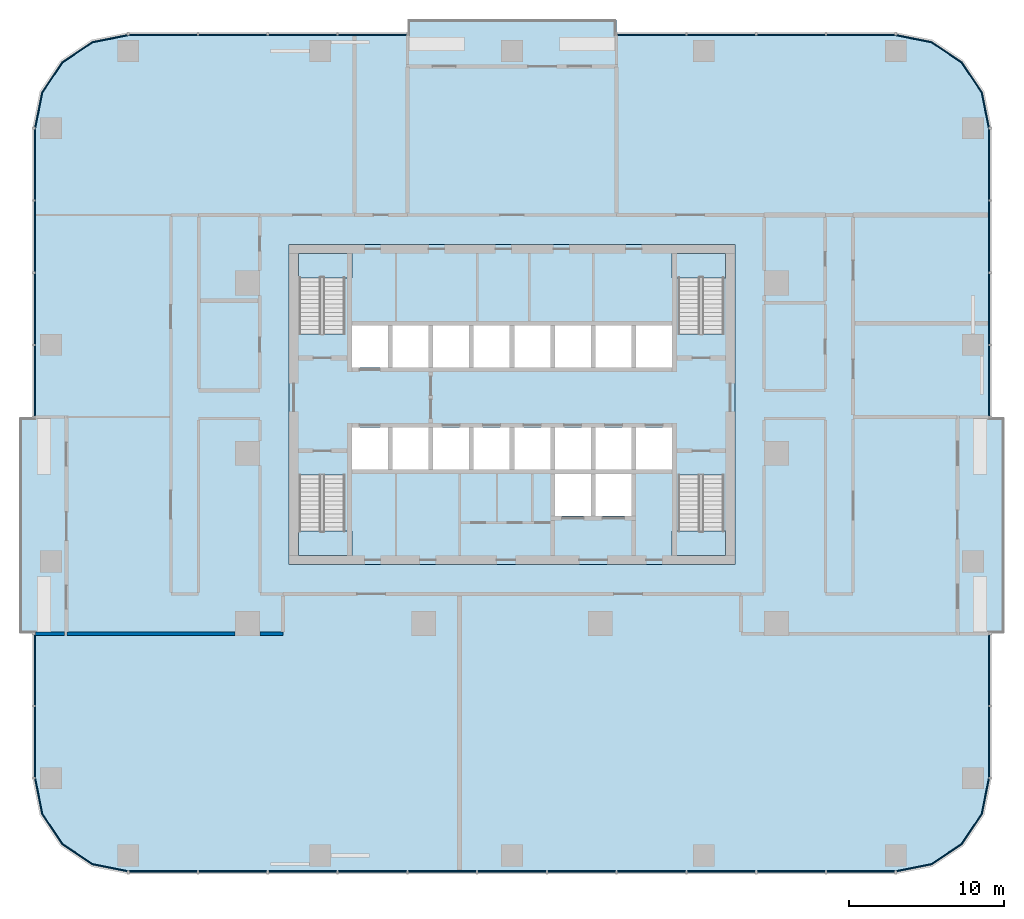
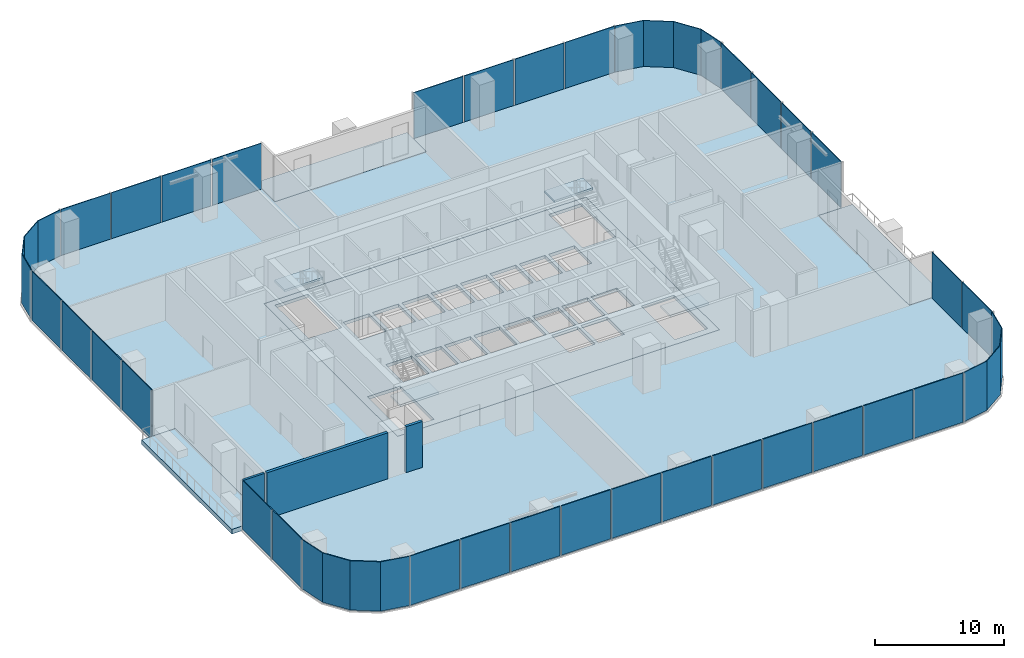
# One storey, part 6 of 14: 35 plates, 9 slabs, 3 walls, 15 elements without a shape of their own.
"""IFC4 building model written with IfcOpenShell, lengths in metres."""

from ifc_helpers import new_model, si_unit, direction, frame, frame_2d, origin, origin_2d, place, context, subcontext, project, spatial, polyline, rectangle, outline, extrude, material, layer, layer_set, type_object, element, aggregate, save


model = new_model("IFC4")

# Units and contexts
model_context = context("Model", 3, precision=1e-05, world=origin(), true_north=direction((0.0, 1.0)))
body_context = subcontext(model_context, "Body", "Model", "MODEL_VIEW")
ifc_project = project(units=[si_unit("LENGTHUNIT", "METRE"), si_unit("AREAUNIT", "SQUARE_METRE"), si_unit("VOLUMEUNIT", "CUBIC_METRE"), si_unit("PLANEANGLEUNIT", "RADIAN"), si_unit("MASSUNIT", "GRAM", prefix="KILO")], contexts=[model_context])

# Site, building, storey
site_placement = place(None, origin())
site = spatial("IfcSite", under=ifc_project, at=site_placement, CompositionType="ELEMENT")
building_placement = place(site_placement, origin())
building = spatial("IfcBuilding", under=site, at=building_placement, Name="Mopane Tessera Tower", CompositionType="ELEMENT")
storey_placement = place(building_placement, frame((0.0, 0.0, 55.0)))
storey = spatial("IfcBuildingStorey", under=building, at=storey_placement, Name="L10", CompositionType="ELEMENT", Elevation=55.0)

# Slab
ifc_material_1 = material(Name="Concrete C40/50", Category="concrete")
ifc_layer_1 = layer(ifc_material_1, 0.300048828125)
ifc_layer_set_1 = layer_set([ifc_layer_1], Name="Concrete C40/50")
slab_type_1 = type_object("IfcSlabType", Name="Core floor slab 300 mm", PredefinedType="FLOOR", material=ifc_layer_set_1)
slab_1_placement = place(storey_placement, frame((0.0, 0.0, -0.300048828125)))
element("IfcSlab", 1, at=slab_1_placement, inside=storey, type_object=slab_type_1, Name="L10 core floor slab", PredefinedType="FLOOR", context=body_context, shape_type="SweptSolid", body=[
    extrude(outline(polyline([(-14.39990234375, -7.199951171875), (14.39990234375, -7.199951171875), (14.39990234375, 13.5), (-14.39990234375, 13.5), (-14.39990234375, -7.199951171875)]), holes=[polyline([(-10.35009765625, -1.050048828125), (-8.02490234375, -1.050048828125), (-8.02490234375, 1.64990234375), (-10.35009765625, 1.64990234375), (-10.35009765625, -1.050048828125)]), polyline([(-7.72509765625, -1.050048828125), (-5.39990234375, -1.050048828125), (-5.39990234375, 1.64990234375), (-7.72509765625, 1.64990234375), (-7.72509765625, -1.050048828125)]), polyline([(-5.10009765625, -1.050048828125), (-2.77490234375, -1.050048828125), (-2.77490234375, 1.64990234375), (-5.10009765625, 1.64990234375), (-5.10009765625, -1.050048828125)]), polyline([(-2.47509765625, -1.050048828125), (-0.14990234375, -1.050048828125), (-0.14990234375, 1.64990234375), (-2.47509765625, 1.64990234375), (-2.47509765625, -1.050048828125)]), polyline([(0.14990234375, -1.050048828125), (2.47509765625, -1.050048828125), (2.47509765625, 1.64990234375), (0.14990234375, 1.64990234375), (0.14990234375, -1.050048828125)]), polyline([(2.77490234375, -1.050048828125), (5.10009765625, -1.050048828125), (5.10009765625, 1.64990234375), (2.77490234375, 1.64990234375), (2.77490234375, -1.050048828125)]), polyline([(5.39990234375, -1.050048828125), (7.72509765625, -1.050048828125), (7.72509765625, 1.64990234375), (5.39990234375, 1.64990234375), (5.39990234375, -1.050048828125)]), polyline([(8.02490234375, -1.050048828125), (10.35009765625, -1.050048828125), (10.35009765625, 1.64990234375), (8.02490234375, 1.64990234375), (8.02490234375, -1.050048828125)]), polyline([(-10.35009765625, 5.550048828125), (-8.02490234375, 5.550048828125), (-8.02490234375, 8.25), (-10.35009765625, 8.25), (-10.35009765625, 5.550048828125)]), polyline([(-7.72509765625, 5.550048828125), (-5.39990234375, 5.550048828125), (-5.39990234375, 8.25), (-7.72509765625, 8.25), (-7.72509765625, 5.550048828125)]), polyline([(-5.10009765625, 5.550048828125), (-2.77490234375, 5.550048828125), (-2.77490234375, 8.25), (-5.10009765625, 8.25), (-5.10009765625, 5.550048828125)]), polyline([(-2.47509765625, 5.550048828125), (-0.14990234375, 5.550048828125), (-0.14990234375, 8.25), (-2.47509765625, 8.25), (-2.47509765625, 5.550048828125)]), polyline([(0.14990234375, 5.550048828125), (2.47509765625, 5.550048828125), (2.47509765625, 8.25), (0.14990234375, 8.25), (0.14990234375, 5.550048828125)]), polyline([(2.77490234375, 5.550048828125), (5.10009765625, 5.550048828125), (5.10009765625, 8.25), (2.77490234375, 8.25), (2.77490234375, 5.550048828125)]), polyline([(5.39990234375, 5.550048828125), (7.72509765625, 5.550048828125), (7.72509765625, 8.25), (5.39990234375, 8.25), (5.39990234375, 5.550048828125)]), polyline([(8.02490234375, 5.550048828125), (10.35009765625, 5.550048828125), (10.35009765625, 8.25), (8.02490234375, 8.25), (8.02490234375, 5.550048828125)]), polyline([(2.77490234375, -4.050048828125), (5.10009765625, -4.050048828125), (5.10009765625, -1.35009765625), (2.77490234375, -1.35009765625), (2.77490234375, -4.050048828125)]), polyline([(5.39990234375, -4.050048828125), (7.72509765625, -4.050048828125), (7.72509765625, -1.35009765625), (5.39990234375, -1.35009765625), (5.39990234375, -4.050048828125)]), polyline([(-13.75, -1.405029296875), (-13.75, -6.60009765625), (-10.800048828125, -6.60009765625), (-10.800048828125, -1.405029296875), (-13.75, -1.405029296875)]), polyline([(-10.800048828125, 7.705078125), (-10.800048828125, 12.89990234375), (-13.75, 12.89990234375), (-13.75, 7.705078125), (-10.800048828125, 7.705078125)]), polyline([(10.75, -1.405029296875), (10.75, -6.60009765625), (13.699951171875, -6.60009765625), (13.699951171875, -1.405029296875), (10.75, -1.405029296875)]), polyline([(13.699951171875, 7.705078125), (13.699951171875, 12.89990234375), (10.75, 12.89990234375), (10.75, 7.705078125), (13.699951171875, 7.705078125)])]), origin(), (0.0, 0.0, 1.0), 0.300048828125),
])

# Stair, slab
ifc_material_2 = material(Name="Concrete C50/60", Category="concrete")
stair_type = type_object("IfcStairType", Name="Escape stair 1400 mm, riser 171 mm", PredefinedType="HALF_TURN_STAIR", material=ifc_material_2)
stair_1_placement = place(storey_placement, origin())
stair_1 = element("IfcStair", 2, at=stair_1_placement, inside=storey, type_object=stair_type, Name="L10 Escape stair south-west", PredefinedType="HALF_TURN_STAIR")
ifc_material_3 = material(Name="Concrete C50/60", Category="concrete")
ifc_layer_2 = layer(ifc_material_3, 0.199951171875)
ifc_layer_set_2 = layer_set([ifc_layer_2], Name="Concrete C50/60")
slab_type_2 = type_object("IfcSlabType", Name="Escape stair landing 200 mm", PredefinedType="LANDING", material=ifc_layer_set_2)
slab_2_placement = place(storey_placement, frame((0.0, 0.0, 2.199951171875)))
slab_2 = element("IfcSlab", 3, at=slab_2_placement, type_object=slab_type_2, Name="ST1 landing 1", PredefinedType="LANDING", context=body_context, shape_type="SweptSolid", body=[
    extrude(outline(polyline([(-13.800048828125, -5.0400390625), (-13.800048828125, -6.60009765625), (-10.35009765625, -6.60009765625), (-10.35009765625, -5.0400390625), (-13.800048828125, -5.0400390625)])), origin(), (0.0, 0.0, 1.0), 0.199951171875),
])
aggregate(stair_1, [slab_2])

stair_2_placement = place(storey_placement, origin())
stair_2 = element("IfcStair", 4, at=stair_2_placement, inside=storey, type_object=stair_type, Name="L10 Escape stair north-west", PredefinedType="HALF_TURN_STAIR")
slab_3_placement = place(storey_placement, frame((0.0, 0.0, 2.199951171875)))
slab_3 = element("IfcSlab", 5, at=slab_3_placement, type_object=slab_type_2, Name="ST2 landing 1", PredefinedType="LANDING", context=body_context, shape_type="SweptSolid", body=[
    extrude(outline(polyline([(-10.35009765625, 11.340087890625), (-10.35009765625, 12.89990234375), (-13.800048828125, 12.89990234375), (-13.800048828125, 11.340087890625), (-10.35009765625, 11.340087890625)])), origin(), (0.0, 0.0, 1.0), 0.199951171875),
])
aggregate(stair_2, [slab_3])

stair_3_placement = place(storey_placement, origin())
stair_3 = element("IfcStair", 6, at=stair_3_placement, inside=storey, type_object=stair_type, Name="L10 Escape stair south-east", PredefinedType="HALF_TURN_STAIR")
slab_4_placement = place(storey_placement, frame((0.0, 0.0, 2.199951171875)))
slab_4 = element("IfcSlab", 7, at=slab_4_placement, type_object=slab_type_2, Name="ST3 landing 1", PredefinedType="LANDING", context=body_context, shape_type="SweptSolid", body=[
    extrude(outline(polyline([(10.35009765625, -5.0400390625), (10.35009765625, -6.60009765625), (13.800048828125, -6.60009765625), (13.800048828125, -5.0400390625), (10.35009765625, -5.0400390625)])), origin(), (0.0, 0.0, 1.0), 0.199951171875),
])
aggregate(stair_3, [slab_4])

stair_4_placement = place(storey_placement, origin())
stair_4 = element("IfcStair", 8, at=stair_4_placement, inside=storey, type_object=stair_type, Name="L10 Escape stair north-east", PredefinedType="HALF_TURN_STAIR")
slab_5_placement = place(storey_placement, frame((0.0, 0.0, 2.199951171875)))
slab_5 = element("IfcSlab", 9, at=slab_5_placement, type_object=slab_type_2, Name="ST4 landing 1", PredefinedType="LANDING", context=body_context, shape_type="SweptSolid", body=[
    extrude(outline(polyline([(13.800048828125, 11.340087890625), (13.800048828125, 12.89990234375), (10.35009765625, 12.89990234375), (10.35009765625, 11.340087890625), (13.800048828125, 11.340087890625)])), origin(), (0.0, 0.0, 1.0), 0.199951171875),
])
aggregate(stair_4, [slab_5])

# Curtain wall, plates
ifc_material_4 = material(Name="Aluminium frame", Category="aluminium")
curtain_wall_type = type_object("IfcCurtainWallType", Name="Lower tower unitised wall", PredefinedType="NOTDEFINED", material=ifc_material_4)
curtain_wall_1_placement = place(storey_placement, origin())
curtain_wall_1 = element("IfcCurtainWall", 10, at=curtain_wall_1_placement, inside=storey, type_object=curtain_wall_type, Name="e:cw:L10:S:0", PredefinedType="NOTDEFINED")
ifc_material_5 = material(Name="Clear laminated glass", Category="glass")
ifc_layer_3 = layer(ifc_material_5, 0.070068359375)
ifc_layer_set_3 = layer_set([ifc_layer_3], Name="Clear laminated glass")
plate_type = type_object("IfcPlateType", Name="Laminated glazed unit 70", PredefinedType="CURTAIN_PANEL", material=ifc_layer_set_3)
plate_1_placement = place(storey_placement, frame((-22.54541015625, -27.034912109375, -0.31005859375), z_axis=(0.0, 0.0, 1.0), x_axis=(1.0, 0.0, 0.0)))
plate_1 = element("IfcPlate", 11, at=plate_1_placement, type_object=plate_type, Name="e:cw:L10:S:0:pn0", PredefinedType="CURTAIN_PANEL", context=body_context, shape_type="SweptSolid", body=[
    extrude(rectangle(XDim=4.399169921875, YDim=0.070068359375, at=origin_2d()), origin(), (0.0, 0.0, 1.0), 4.659912109375),
])
plate_2_placement = place(storey_placement, frame((-18.036376953125, -27.034912109375, -0.31005859375), z_axis=(0.0, 0.0, 1.0), x_axis=(1.0, 0.0, 0.0)))
plate_2 = element("IfcPlate", 12, at=plate_2_placement, type_object=plate_type, Name="e:cw:L10:S:0:pn1", PredefinedType="CURTAIN_PANEL", context=body_context, shape_type="SweptSolid", body=[
    extrude(rectangle(XDim=4.399169921875, YDim=0.070068359375, at=origin_2d()), origin(), (0.0, 0.0, 1.0), 4.659912109375),
])
plate_3_placement = place(storey_placement, frame((-13.52734375, -27.034912109375, -0.31005859375), z_axis=(0.0, 0.0, 1.0), x_axis=(1.0, 0.0, 0.0)))
plate_3 = element("IfcPlate", 13, at=plate_3_placement, type_object=plate_type, Name="e:cw:L10:S:0:pn2", PredefinedType="CURTAIN_PANEL", context=body_context, shape_type="SweptSolid", body=[
    extrude(rectangle(XDim=4.399169921875, YDim=0.070068359375, at=origin_2d()), origin(), (0.0, 0.0, 1.0), 4.659912109375),
])
plate_4_placement = place(storey_placement, frame((-9.01806640625, -27.034912109375, -0.31005859375), z_axis=(0.0, 0.0, 1.0), x_axis=(1.0, 0.0, 0.0)))
plate_4 = element("IfcPlate", 14, at=plate_4_placement, type_object=plate_type, Name="e:cw:L10:S:0:pn3", PredefinedType="CURTAIN_PANEL", context=body_context, shape_type="SweptSolid", body=[
    extrude(rectangle(XDim=4.399169921875, YDim=0.070068359375, at=origin_2d()), origin(), (0.0, 0.0, 1.0), 4.659912109375),
])
plate_5_placement = place(storey_placement, frame((-4.509033203125, -27.034912109375, -0.31005859375), z_axis=(0.0, 0.0, 1.0), x_axis=(1.0, 0.0, 0.0)))
plate_5 = element("IfcPlate", 15, at=plate_5_placement, type_object=plate_type, Name="e:cw:L10:S:0:pn4", PredefinedType="CURTAIN_PANEL", context=body_context, shape_type="SweptSolid", body=[
    extrude(rectangle(XDim=4.399169921875, YDim=0.070068359375, at=origin_2d()), origin(), (0.0, 0.0, 1.0), 4.659912109375),
])
plate_6_placement = place(storey_placement, frame((0.0, -27.034912109375, -0.31005859375), z_axis=(0.0, 0.0, 1.0), x_axis=(1.0, 0.0, 0.0)))
plate_6 = element("IfcPlate", 16, at=plate_6_placement, type_object=plate_type, Name="e:cw:L10:S:0:pn5", PredefinedType="CURTAIN_PANEL", context=body_context, shape_type="SweptSolid", body=[
    extrude(rectangle(XDim=4.399169921875, YDim=0.070068359375, at=origin_2d()), origin(), (0.0, 0.0, 1.0), 4.659912109375),
])
plate_7_placement = place(storey_placement, frame((4.509033203125, -27.034912109375, -0.31005859375), z_axis=(0.0, 0.0, 1.0), x_axis=(1.0, 0.0, 0.0)))
plate_7 = element("IfcPlate", 17, at=plate_7_placement, type_object=plate_type, Name="e:cw:L10:S:0:pn6", PredefinedType="CURTAIN_PANEL", context=body_context, shape_type="SweptSolid", body=[
    extrude(rectangle(XDim=4.399169921875, YDim=0.070068359375, at=origin_2d()), origin(), (0.0, 0.0, 1.0), 4.659912109375),
])
plate_8_placement = place(storey_placement, frame((9.01806640625, -27.034912109375, -0.31005859375), z_axis=(0.0, 0.0, 1.0), x_axis=(1.0, 0.0, 0.0)))
plate_8 = element("IfcPlate", 18, at=plate_8_placement, type_object=plate_type, Name="e:cw:L10:S:0:pn7", PredefinedType="CURTAIN_PANEL", context=body_context, shape_type="SweptSolid", body=[
    extrude(rectangle(XDim=4.399169921875, YDim=0.070068359375, at=origin_2d()), origin(), (0.0, 0.0, 1.0), 4.659912109375),
])
plate_9_placement = place(storey_placement, frame((13.52734375, -27.034912109375, -0.31005859375), z_axis=(0.0, 0.0, 1.0), x_axis=(1.0, 0.0, 0.0)))
plate_9 = element("IfcPlate", 19, at=plate_9_placement, type_object=plate_type, Name="e:cw:L10:S:0:pn8", PredefinedType="CURTAIN_PANEL", context=body_context, shape_type="SweptSolid", body=[
    extrude(rectangle(XDim=4.399169921875, YDim=0.070068359375, at=origin_2d()), origin(), (0.0, 0.0, 1.0), 4.659912109375),
])
plate_10_placement = place(storey_placement, frame((18.036376953125, -27.034912109375, -0.31005859375), z_axis=(0.0, 0.0, 1.0), x_axis=(1.0, 0.0, 0.0)))
plate_10 = element("IfcPlate", 20, at=plate_10_placement, type_object=plate_type, Name="e:cw:L10:S:0:pn9", PredefinedType="CURTAIN_PANEL", context=body_context, shape_type="SweptSolid", body=[
    extrude(rectangle(XDim=4.399169921875, YDim=0.070068359375, at=origin_2d()), origin(), (0.0, 0.0, 1.0), 4.659912109375),
])
plate_11_placement = place(storey_placement, frame((22.54541015625, -27.034912109375, -0.31005859375), z_axis=(0.0, 0.0, 1.0), x_axis=(1.0, 0.0, 0.0)))
plate_11 = element("IfcPlate", 21, at=plate_11_placement, type_object=plate_type, Name="e:cw:L10:S:0:pn10", PredefinedType="CURTAIN_PANEL", context=body_context, shape_type="SweptSolid", body=[
    extrude(rectangle(XDim=4.399169921875, YDim=0.070068359375, at=origin_2d()), origin(), (0.0, 0.0, 1.0), 4.659912109375),
])
aggregate(curtain_wall_1, [plate_1, plate_2, plate_3, plate_4, plate_5, plate_6, plate_7, plate_8, plate_9, plate_10, plate_11])

# Curtain wall, plate
curtain_wall_2_placement = place(storey_placement, origin())
curtain_wall_2 = element("IfcCurtainWall", 22, at=curtain_wall_2_placement, inside=storey, type_object=curtain_wall_type, Name="e:cw:L10:CS", PredefinedType="NOTDEFINED")
plate_12_placement = place(storey_placement, frame((0.0, 0.0, -0.31005859375)))
plate_12 = element("IfcPlate", 23, at=plate_12_placement, type_object=plate_type, Name="e:cw:L10:CS:pn", PredefinedType="CURTAIN_PANEL", context=body_context, shape_type="SweptSolid", body=[
    extrude(outline(polyline([(24.800048828125, -27.0), (27.09619140625, -26.543212890625), (29.042724609375, -25.24267578125), (30.34326171875, -23.296142578125), (30.800048828125, -21.0), (30.8701171875, -21.0), (30.407958984375, -23.322998046875), (29.092041015625, -25.292236328125), (27.122802734375, -26.60791015625), (24.800048828125, -27.070068359375), (24.800048828125, -27.0)])), origin(), (0.0, 0.0, 1.0), 4.66015625),
])
aggregate(curtain_wall_2, [plate_12])

# Curtain wall, plates
curtain_wall_3_placement = place(storey_placement, origin())
curtain_wall_3 = element("IfcCurtainWall", 24, at=curtain_wall_3_placement, inside=storey, type_object=curtain_wall_type, Name="e:cw:L10:E:0", PredefinedType="NOTDEFINED")
plate_13_placement = place(storey_placement, frame((30.8349609375, -18.666748046875, -0.31005859375), z_axis=(0.0, 0.0, 1.0), x_axis=(0.0, 1.0, 0.0)))
plate_13 = element("IfcPlate", 25, at=plate_13_placement, type_object=plate_type, Name="e:cw:L10:E:0:pn0", PredefinedType="CURTAIN_PANEL", context=body_context, shape_type="SweptSolid", body=[
    extrude(rectangle(XDim=4.556640625, YDim=0.070068359375, at=origin_2d()), origin(), (0.0, 0.0, 1.0), 4.659912109375),
])
plate_14_placement = place(storey_placement, frame((30.8349609375, -14.0, -0.31005859375), z_axis=(0.0, 0.0, 1.0), x_axis=(0.0, 1.0, 0.0)))
plate_14 = element("IfcPlate", 26, at=plate_14_placement, type_object=plate_type, Name="e:cw:L10:E:0:pn1", PredefinedType="CURTAIN_PANEL", context=body_context, shape_type="SweptSolid", body=[
    extrude(rectangle(XDim=4.556640625, YDim=0.070068359375, at=origin_2d()), origin(), (0.0, 0.0, 1.0), 4.659912109375),
])
aggregate(curtain_wall_3, [plate_13, plate_14])

curtain_wall_4_placement = place(storey_placement, origin())
curtain_wall_4 = element("IfcCurtainWall", 27, at=curtain_wall_4_placement, inside=storey, type_object=curtain_wall_type, Name="e:cw:L10:E:5", PredefinedType="NOTDEFINED")
plate_15_placement = place(storey_placement, frame((30.8349609375, 4.666748046875, -0.31005859375), z_axis=(0.0, 0.0, 1.0), x_axis=(0.0, 1.0, 0.0)))
plate_15 = element("IfcPlate", 28, at=plate_15_placement, type_object=plate_type, Name="e:cw:L10:E:5:pn5", PredefinedType="CURTAIN_PANEL", context=body_context, shape_type="SweptSolid", body=[
    extrude(rectangle(XDim=4.556640625, YDim=0.070068359375, at=origin_2d()), origin(), (0.0, 0.0, 1.0), 4.659912109375),
])
plate_16_placement = place(storey_placement, frame((30.8349609375, 9.333251953125, -0.31005859375), z_axis=(0.0, 0.0, 1.0), x_axis=(0.0, 1.0, 0.0)))
plate_16 = element("IfcPlate", 29, at=plate_16_placement, type_object=plate_type, Name="e:cw:L10:E:5:pn6", PredefinedType="CURTAIN_PANEL", context=body_context, shape_type="SweptSolid", body=[
    extrude(rectangle(XDim=4.556640625, YDim=0.070068359375, at=origin_2d()), origin(), (0.0, 0.0, 1.0), 4.659912109375),
])
plate_17_placement = place(storey_placement, frame((30.8349609375, 14.0, -0.31005859375), z_axis=(0.0, 0.0, 1.0), x_axis=(0.0, 1.0, 0.0)))
plate_17 = element("IfcPlate", 30, at=plate_17_placement, type_object=plate_type, Name="e:cw:L10:E:5:pn7", PredefinedType="CURTAIN_PANEL", context=body_context, shape_type="SweptSolid", body=[
    extrude(rectangle(XDim=4.556640625, YDim=0.070068359375, at=origin_2d()), origin(), (0.0, 0.0, 1.0), 4.659912109375),
])
plate_18_placement = place(storey_placement, frame((30.8349609375, 18.666748046875, -0.31005859375), z_axis=(0.0, 0.0, 1.0), x_axis=(0.0, 1.0, 0.0)))
plate_18 = element("IfcPlate", 31, at=plate_18_placement, type_object=plate_type, Name="e:cw:L10:E:5:pn8", PredefinedType="CURTAIN_PANEL", context=body_context, shape_type="SweptSolid", body=[
    extrude(rectangle(XDim=4.556640625, YDim=0.070068359375, at=origin_2d()), origin(), (0.0, 0.0, 1.0), 4.659912109375),
])
aggregate(curtain_wall_4, [plate_15, plate_16, plate_17, plate_18])

# Curtain wall, plate
curtain_wall_5_placement = place(storey_placement, origin())
curtain_wall_5 = element("IfcCurtainWall", 32, at=curtain_wall_5_placement, inside=storey, type_object=curtain_wall_type, Name="e:cw:L10:CE", PredefinedType="NOTDEFINED")
plate_19_placement = place(storey_placement, frame((0.0, 0.0, -0.31005859375)))
plate_19 = element("IfcPlate", 33, at=plate_19_placement, type_object=plate_type, Name="e:cw:L10:CE:pn", PredefinedType="CURTAIN_PANEL", context=body_context, shape_type="SweptSolid", body=[
    extrude(outline(polyline([(30.800048828125, 21.0), (30.34326171875, 23.296142578125), (29.042724609375, 25.24267578125), (27.09619140625, 26.543212890625), (24.800048828125, 27.0), (24.800048828125, 27.070068359375), (27.122802734375, 26.60791015625), (29.092041015625, 25.292236328125), (30.407958984375, 23.322998046875), (30.8701171875, 21.0), (30.800048828125, 21.0)])), origin(), (0.0, 0.0, 1.0), 4.66015625),
])
aggregate(curtain_wall_5, [plate_19])

# Curtain wall, plates
curtain_wall_6_placement = place(storey_placement, origin())
curtain_wall_6 = element("IfcCurtainWall", 34, at=curtain_wall_6_placement, inside=storey, type_object=curtain_wall_type, Name="e:cw:L10:N:0", PredefinedType="NOTDEFINED")
plate_20_placement = place(storey_placement, frame((22.54541015625, 27.034912109375, -0.31005859375), z_axis=(0.0, 0.0, 1.0), x_axis=(-1.0, 0.0, 0.0)))
plate_20 = element("IfcPlate", 35, at=plate_20_placement, type_object=plate_type, Name="e:cw:L10:N:0:pn0", PredefinedType="CURTAIN_PANEL", context=body_context, shape_type="SweptSolid", body=[
    extrude(rectangle(XDim=4.399169921875, YDim=0.070068359375, at=origin_2d()), origin(), (0.0, 0.0, 1.0), 4.659912109375),
])
plate_21_placement = place(storey_placement, frame((18.036376953125, 27.034912109375, -0.31005859375), z_axis=(0.0, 0.0, 1.0), x_axis=(-1.0, 0.0, 0.0)))
plate_21 = element("IfcPlate", 36, at=plate_21_placement, type_object=plate_type, Name="e:cw:L10:N:0:pn1", PredefinedType="CURTAIN_PANEL", context=body_context, shape_type="SweptSolid", body=[
    extrude(rectangle(XDim=4.399169921875, YDim=0.070068359375, at=origin_2d()), origin(), (0.0, 0.0, 1.0), 4.659912109375),
])
plate_22_placement = place(storey_placement, frame((13.52734375, 27.034912109375, -0.31005859375), z_axis=(0.0, 0.0, 1.0), x_axis=(-1.0, 0.0, 0.0)))
plate_22 = element("IfcPlate", 37, at=plate_22_placement, type_object=plate_type, Name="e:cw:L10:N:0:pn2", PredefinedType="CURTAIN_PANEL", context=body_context, shape_type="SweptSolid", body=[
    extrude(rectangle(XDim=4.399169921875, YDim=0.070068359375, at=origin_2d()), origin(), (0.0, 0.0, 1.0), 4.659912109375),
])
plate_23_placement = place(storey_placement, frame((9.01806640625, 27.034912109375, -0.31005859375), z_axis=(0.0, 0.0, 1.0), x_axis=(-1.0, 0.0, 0.0)))
plate_23 = element("IfcPlate", 38, at=plate_23_placement, type_object=plate_type, Name="e:cw:L10:N:0:pn3", PredefinedType="CURTAIN_PANEL", context=body_context, shape_type="SweptSolid", body=[
    extrude(rectangle(XDim=4.399169921875, YDim=0.070068359375, at=origin_2d()), origin(), (0.0, 0.0, 1.0), 4.659912109375),
])
aggregate(curtain_wall_6, [plate_20, plate_21, plate_22, plate_23])

curtain_wall_7_placement = place(storey_placement, origin())
curtain_wall_7 = element("IfcCurtainWall", 39, at=curtain_wall_7_placement, inside=storey, type_object=curtain_wall_type, Name="e:cw:L10:N:7", PredefinedType="NOTDEFINED")
plate_24_placement = place(storey_placement, frame((-9.01806640625, 27.034912109375, -0.31005859375), z_axis=(0.0, 0.0, 1.0), x_axis=(-1.0, 0.0, 0.0)))
plate_24 = element("IfcPlate", 40, at=plate_24_placement, type_object=plate_type, Name="e:cw:L10:N:7:pn7", PredefinedType="CURTAIN_PANEL", context=body_context, shape_type="SweptSolid", body=[
    extrude(rectangle(XDim=4.399169921875, YDim=0.070068359375, at=origin_2d()), origin(), (0.0, 0.0, 1.0), 4.659912109375),
])
plate_25_placement = place(storey_placement, frame((-13.52734375, 27.034912109375, -0.31005859375), z_axis=(0.0, 0.0, 1.0), x_axis=(-1.0, 0.0, 0.0)))
plate_25 = element("IfcPlate", 41, at=plate_25_placement, type_object=plate_type, Name="e:cw:L10:N:7:pn8", PredefinedType="CURTAIN_PANEL", context=body_context, shape_type="SweptSolid", body=[
    extrude(rectangle(XDim=4.399169921875, YDim=0.070068359375, at=origin_2d()), origin(), (0.0, 0.0, 1.0), 4.659912109375),
])
plate_26_placement = place(storey_placement, frame((-18.036376953125, 27.034912109375, -0.31005859375), z_axis=(0.0, 0.0, 1.0), x_axis=(-1.0, 0.0, 0.0)))
plate_26 = element("IfcPlate", 42, at=plate_26_placement, type_object=plate_type, Name="e:cw:L10:N:7:pn9", PredefinedType="CURTAIN_PANEL", context=body_context, shape_type="SweptSolid", body=[
    extrude(rectangle(XDim=4.399169921875, YDim=0.070068359375, at=origin_2d()), origin(), (0.0, 0.0, 1.0), 4.659912109375),
])
plate_27_placement = place(storey_placement, frame((-22.54541015625, 27.034912109375, -0.31005859375), z_axis=(0.0, 0.0, 1.0), x_axis=(-1.0, 0.0, 0.0)))
plate_27 = element("IfcPlate", 43, at=plate_27_placement, type_object=plate_type, Name="e:cw:L10:N:7:pn10", PredefinedType="CURTAIN_PANEL", context=body_context, shape_type="SweptSolid", body=[
    extrude(rectangle(XDim=4.399169921875, YDim=0.070068359375, at=origin_2d()), origin(), (0.0, 0.0, 1.0), 4.659912109375),
])
aggregate(curtain_wall_7, [plate_24, plate_25, plate_26, plate_27])

# Curtain wall, plate
curtain_wall_8_placement = place(storey_placement, origin())
curtain_wall_8 = element("IfcCurtainWall", 44, at=curtain_wall_8_placement, inside=storey, type_object=curtain_wall_type, Name="e:cw:L10:CN", PredefinedType="NOTDEFINED")
plate_28_placement = place(storey_placement, frame((0.0, 0.0, -0.31005859375)))
plate_28 = element("IfcPlate", 45, at=plate_28_placement, type_object=plate_type, Name="e:cw:L10:CN:pn", PredefinedType="CURTAIN_PANEL", context=body_context, shape_type="SweptSolid", body=[
    extrude(outline(polyline([(-24.800048828125, 27.0), (-27.09619140625, 26.543212890625), (-29.042724609375, 25.24267578125), (-30.34326171875, 23.296142578125), (-30.800048828125, 21.0), (-30.8701171875, 21.0), (-30.407958984375, 23.322998046875), (-29.092041015625, 25.292236328125), (-27.122802734375, 26.60791015625), (-24.800048828125, 27.070068359375), (-24.800048828125, 27.0)])), origin(), (0.0, 0.0, 1.0), 4.66015625),
])
aggregate(curtain_wall_8, [plate_28])

# Curtain wall, plates
curtain_wall_9_placement = place(storey_placement, origin())
curtain_wall_9 = element("IfcCurtainWall", 46, at=curtain_wall_9_placement, inside=storey, type_object=curtain_wall_type, Name="e:cw:L10:W:0", PredefinedType="NOTDEFINED")
plate_29_placement = place(storey_placement, frame((-30.8349609375, 18.666748046875, -0.31005859375), z_axis=(0.0, 0.0, 1.0), x_axis=(0.0, -1.0, 0.0)))
plate_29 = element("IfcPlate", 47, at=plate_29_placement, type_object=plate_type, Name="e:cw:L10:W:0:pn0", PredefinedType="CURTAIN_PANEL", context=body_context, shape_type="SweptSolid", body=[
    extrude(rectangle(XDim=4.556640625, YDim=0.070068359375, at=origin_2d()), origin(), (0.0, 0.0, 1.0), 4.659912109375),
])
plate_30_placement = place(storey_placement, frame((-30.8349609375, 14.0, -0.31005859375), z_axis=(0.0, 0.0, 1.0), x_axis=(0.0, -1.0, 0.0)))
plate_30 = element("IfcPlate", 48, at=plate_30_placement, type_object=plate_type, Name="e:cw:L10:W:0:pn1", PredefinedType="CURTAIN_PANEL", context=body_context, shape_type="SweptSolid", body=[
    extrude(rectangle(XDim=4.556640625, YDim=0.070068359375, at=origin_2d()), origin(), (0.0, 0.0, 1.0), 4.659912109375),
])
plate_31_placement = place(storey_placement, frame((-30.8349609375, 9.333251953125, -0.31005859375), z_axis=(0.0, 0.0, 1.0), x_axis=(0.0, -1.0, 0.0)))
plate_31 = element("IfcPlate", 49, at=plate_31_placement, type_object=plate_type, Name="e:cw:L10:W:0:pn2", PredefinedType="CURTAIN_PANEL", context=body_context, shape_type="SweptSolid", body=[
    extrude(rectangle(XDim=4.556640625, YDim=0.070068359375, at=origin_2d()), origin(), (0.0, 0.0, 1.0), 4.659912109375),
])
plate_32_placement = place(storey_placement, frame((-30.8349609375, 4.666748046875, -0.31005859375), z_axis=(0.0, 0.0, 1.0), x_axis=(0.0, -1.0, 0.0)))
plate_32 = element("IfcPlate", 50, at=plate_32_placement, type_object=plate_type, Name="e:cw:L10:W:0:pn3", PredefinedType="CURTAIN_PANEL", context=body_context, shape_type="SweptSolid", body=[
    extrude(rectangle(XDim=4.556640625, YDim=0.070068359375, at=origin_2d()), origin(), (0.0, 0.0, 1.0), 4.659912109375),
])
aggregate(curtain_wall_9, [plate_29, plate_30, plate_31, plate_32])

curtain_wall_10_placement = place(storey_placement, origin())
curtain_wall_10 = element("IfcCurtainWall", 51, at=curtain_wall_10_placement, inside=storey, type_object=curtain_wall_type, Name="e:cw:L10:W:7", PredefinedType="NOTDEFINED")
plate_33_placement = place(storey_placement, frame((-30.8349609375, -14.0, -0.31005859375), z_axis=(0.0, 0.0, 1.0), x_axis=(0.0, -1.0, 0.0)))
plate_33 = element("IfcPlate", 52, at=plate_33_placement, type_object=plate_type, Name="e:cw:L10:W:7:pn7", PredefinedType="CURTAIN_PANEL", context=body_context, shape_type="SweptSolid", body=[
    extrude(rectangle(XDim=4.556640625, YDim=0.070068359375, at=origin_2d()), origin(), (0.0, 0.0, 1.0), 4.659912109375),
])
plate_34_placement = place(storey_placement, frame((-30.8349609375, -18.666748046875, -0.31005859375), z_axis=(0.0, 0.0, 1.0), x_axis=(0.0, -1.0, 0.0)))
plate_34 = element("IfcPlate", 53, at=plate_34_placement, type_object=plate_type, Name="e:cw:L10:W:7:pn8", PredefinedType="CURTAIN_PANEL", context=body_context, shape_type="SweptSolid", body=[
    extrude(rectangle(XDim=4.556640625, YDim=0.070068359375, at=origin_2d()), origin(), (0.0, 0.0, 1.0), 4.659912109375),
])
aggregate(curtain_wall_10, [plate_33, plate_34])

# Curtain wall, plate
curtain_wall_11_placement = place(storey_placement, origin())
curtain_wall_11 = element("IfcCurtainWall", 54, at=curtain_wall_11_placement, inside=storey, type_object=curtain_wall_type, Name="e:cw:L10:CW", PredefinedType="NOTDEFINED")
plate_35_placement = place(storey_placement, frame((0.0, 0.0, -0.31005859375)))
plate_35 = element("IfcPlate", 55, at=plate_35_placement, type_object=plate_type, Name="e:cw:L10:CW:pn", PredefinedType="CURTAIN_PANEL", context=body_context, shape_type="SweptSolid", body=[
    extrude(outline(polyline([(-30.800048828125, -21.0), (-30.34326171875, -23.296142578125), (-29.042724609375, -25.24267578125), (-27.09619140625, -26.543212890625), (-24.800048828125, -27.0), (-24.800048828125, -27.070068359375), (-27.122802734375, -26.60791015625), (-29.092041015625, -25.292236328125), (-30.407958984375, -23.322998046875), (-30.8701171875, -21.0), (-30.800048828125, -21.0)])), origin(), (0.0, 0.0, 1.0), 4.66015625),
])
aggregate(curtain_wall_11, [plate_35])

# Slabs
ifc_material_6 = material(Name="Concrete C40/50", Category="concrete")
ifc_layer_4 = layer(ifc_material_6, 0.449951171875)
ifc_layer_set_4 = layer_set([ifc_layer_4], Name="Concrete C40/50")
slab_type_3 = type_object("IfcSlabType", Name="Planted terrace slab 450 mm", PredefinedType="FLOOR", material=ifc_layer_set_4)
slab_6_placement = place(storey_placement, frame((0.0, 0.0, -0.449951171875)))
element("IfcSlab", 56, at=slab_6_placement, inside=storey, type_object=slab_type_3, Name="Terrace slab N1 L10", PredefinedType="FLOOR", context=body_context, shape_type="SweptSolid", body=[
    extrude(outline(polyline([(31.800048828125, 2.333251953125), (28.800048828125, 2.333251953125), (28.800048828125, -11.666748046875), (31.800048828125, -11.666748046875), (31.800048828125, 2.333251953125)])), origin(), (0.0, 0.0, 1.0), 0.449951171875),
])
slab_7_placement = place(storey_placement, frame((0.0, 0.0, -0.449951171875)))
element("IfcSlab", 57, at=slab_7_placement, inside=storey, type_object=slab_type_3, Name="Terrace slab N2 L10", PredefinedType="FLOOR", context=body_context, shape_type="SweptSolid", body=[
    extrude(outline(polyline([(-6.763671875, 28.0), (-6.763671875, 25.0), (6.763671875, 25.0), (6.763671875, 28.0), (-6.763671875, 28.0)])), origin(), (0.0, 0.0, 1.0), 0.449951171875),
])
slab_8_placement = place(storey_placement, frame((0.0, 0.0, -0.449951171875)))
element("IfcSlab", 58, at=slab_8_placement, inside=storey, type_object=slab_type_3, Name="Terrace slab N3 L10", PredefinedType="FLOOR", context=body_context, shape_type="SweptSolid", body=[
    extrude(outline(polyline([(-31.800048828125, -11.666748046875), (-28.800048828125, -11.666748046875), (-28.800048828125, 2.333251953125), (-31.800048828125, 2.333251953125), (-31.800048828125, -11.666748046875)])), origin(), (0.0, 0.0, 1.0), 0.449951171875),
])
ifc_material_7 = material(Name="Concrete C40/50", Category="concrete")
ifc_layer_5 = layer(ifc_material_7, 0.449951171875)
ifc_layer_set_5 = layer_set([ifc_layer_5], Name="Concrete C40/50")
slab_type_4 = type_object("IfcSlabType", Name="Post-tensioned flat plate 450 mm", PredefinedType="FLOOR", material=ifc_layer_set_5)
slab_9_placement = place(storey_placement, frame((0.0, 0.0, -0.449951171875)))
element("IfcSlab", 59, at=slab_9_placement, inside=storey, type_object=slab_type_4, Name="Floor slab L10", PredefinedType="FLOOR", context=body_context, shape_type="SweptSolid", body=[
    extrude(outline(polyline([(30.800048828125, -21.0), (30.800048828125, -11.666748046875), (28.800048828125, -11.666748046875), (28.800048828125, 2.333251953125), (30.800048828125, 2.333251953125), (30.800048828125, 21.0), (30.34326171875, 23.296142578125), (29.042724609375, 25.24267578125), (27.09619140625, 26.543212890625), (24.800048828125, 27.0), (6.763671875, 27.0), (6.763671875, 25.0), (-6.763671875, 25.0), (-6.763671875, 27.0), (-24.800048828125, 27.0), (-27.09619140625, 26.543212890625), (-29.042724609375, 25.24267578125), (-30.34326171875, 23.296142578125), (-30.800048828125, 21.0), (-30.800048828125, 2.333251953125), (-28.800048828125, 2.333251953125), (-28.800048828125, -11.666748046875), (-30.800048828125, -11.666748046875), (-30.800048828125, -21.0), (-30.34326171875, -23.296142578125), (-29.042724609375, -25.24267578125), (-27.09619140625, -26.543212890625), (-24.800048828125, -27.0), (24.800048828125, -27.0), (27.09619140625, -26.543212890625), (29.042724609375, -25.24267578125), (30.34326171875, -23.296142578125), (30.800048828125, -21.0)]), holes=[polyline([(14.39990234375, -7.199951171875), (-14.39990234375, -7.199951171875), (-14.39990234375, 13.5), (14.39990234375, 13.5), (14.39990234375, -7.199951171875)])]), origin(), (0.0, 0.0, 1.0), 0.449951171875),
])

# Walls
ifc_material_8 = material(Name="Plastered concrete blockwork C20/25", Category="masonry")
ifc_layer_6 = layer(ifc_material_8, 0.25)
ifc_layer_set_6 = layer_set([ifc_layer_6], Name="Plastered concrete blockwork C20/25")
wall_type_1 = type_object("IfcWallType", Name="Plastered blockwork wall 250, rated EI 120", PredefinedType="PARTITIONING", material=ifc_layer_set_6)
wall_1_placement = place(storey_placement, frame((-28.75, -11.6650390625, 0.0), z_axis=(0.0, 0.0, 1.0), x_axis=(1.0, 0.0, 0.0)))
element("IfcWall", 60, at=wall_1_placement, inside=storey, type_object=wall_type_1, Name="Partition L10:000", PredefinedType="PARTITIONING", context=body_context, shape_type="SweptSolid", body=[
    extrude(rectangle(XDim=10.85009765625, YDim=0.25, at=frame_2d((5.425048828125, 0.0))), origin(), (0.0, 0.0, 1.0), 4.35009765625),
])
wall_2_placement = place(storey_placement, frame((-16.300048828125, -11.6650390625, 0.0), z_axis=(0.0, 0.0, 1.0), x_axis=(1.0, 0.0, 0.0)))
element("IfcWall", 61, at=wall_2_placement, inside=storey, type_object=wall_type_1, Name="Partition L10:001", PredefinedType="PARTITIONING", context=body_context, shape_type="SweptSolid", body=[
    extrude(rectangle(XDim=1.5, YDim=0.25, at=frame_2d((0.75, 0.0))), origin(), (0.0, 0.0, 1.0), 4.35009765625),
])
ifc_material_9 = material(Name="Blockwork with glazed tile facing", Category="masonry")
ifc_layer_7 = layer(ifc_material_9, 0.199951171875)
ifc_layer_set_7 = layer_set([ifc_layer_7], Name="Blockwork with glazed tile facing")
wall_type_2 = type_object("IfcWallType", Name="Terrace cheek wall 200", PredefinedType="STANDARD", material=ifc_layer_set_7)
wall_3_placement = place(storey_placement, frame((-30.800048828125, -11.666748046875, 0.0), z_axis=(0.0, 0.0, 1.0), x_axis=(1.0, 0.0, 0.0)))
element("IfcWall", 62, at=wall_3_placement, inside=storey, type_object=wall_type_2, Name="e:nw:L10:N3:cheekb", PredefinedType="STANDARD", context=body_context, shape_type="SweptSolid", body=[
    extrude(rectangle(XDim=1.875, YDim=0.199951171875, at=frame_2d((0.9375, 0.0))), origin(), (0.0, 0.0, 1.0), 4.35009765625),
])

save(model, "model.ifc")
